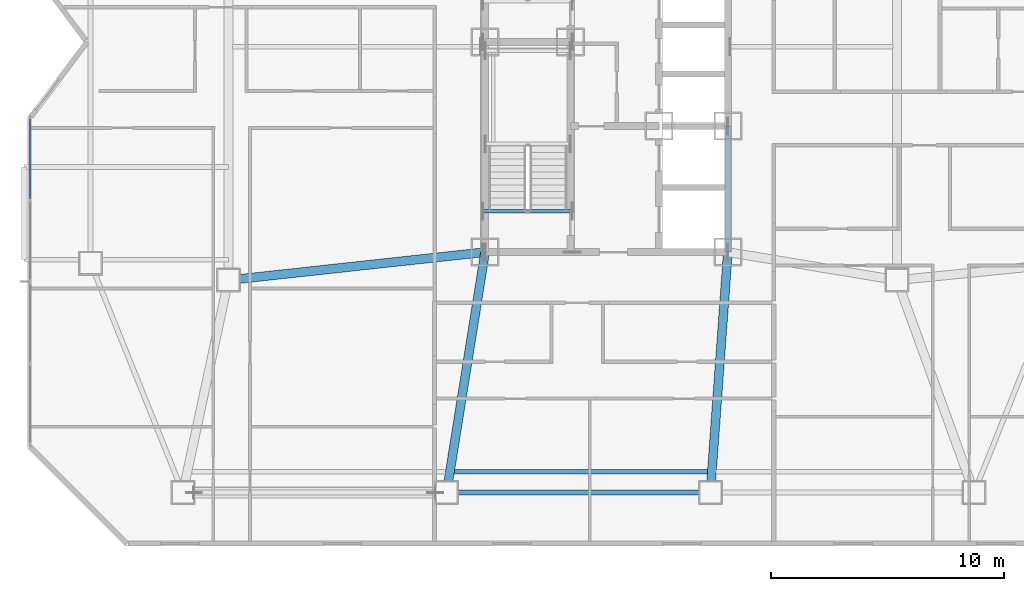
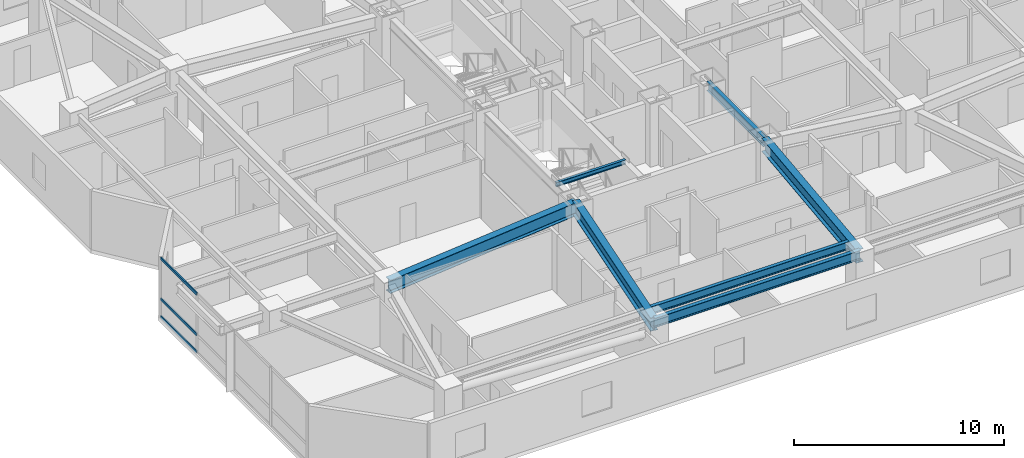
# One storey, part 5 of 17: 7 beams, 3 members, 1 element without a shape of its own.
"""IFC4 building model written with IfcOpenShell, lengths in metres."""

from ifc_helpers import new_model, si_unit, direction, frame, origin, origin_2d, place, context, subcontext, project, spatial, hollow_rectangle, i_section, extrude, material, material_profile, profile_set, type_object, element, aggregate, save


model = new_model("IFC4")

# Units and contexts
model_context = context("Model", 3, precision=1e-05, world=origin(), true_north=direction((0.0, 1.0)))
body_context = subcontext(model_context, "Body", "Model", "MODEL_VIEW")
ifc_project = project(units=[si_unit("LENGTHUNIT", "METRE"), si_unit("AREAUNIT", "SQUARE_METRE"), si_unit("VOLUMEUNIT", "CUBIC_METRE"), si_unit("PLANEANGLEUNIT", "RADIAN"), si_unit("MASSUNIT", "GRAM", prefix="KILO")], contexts=[model_context])

# Site, building, storey
site_placement = place(None, origin())
site = spatial("IfcSite", under=ifc_project, at=site_placement, CompositionType="ELEMENT")
building_placement = place(site_placement, origin())
building = spatial("IfcBuilding", under=site, at=building_placement, Name="Khamvora Tower", CompositionType="ELEMENT")
storey_placement = place(building_placement, frame((0.0, 0.0, 131.10009765625)))
storey = spatial("IfcBuildingStorey", under=building, at=storey_placement, Name="L33", CompositionType="ELEMENT", Elevation=131.10009765625)

# Beams
ifc_material_1 = material(Name="Steel S355", Category="steel")
ifc_material_profile_1 = material_profile(ifc_material_1, i_section(OverallWidth=0.19189453125, OverallDepth=0.462890625, WebThickness=0.010986328125, FlangeThickness=0.01806640625, FilletRadius=0.011962890625, at=origin_2d()), Name="W460x89")
ifc_profile_set_1 = profile_set([ifc_material_profile_1], Name="Steel S355")
beam_type_1 = type_object("IfcBeamType", Name="BM-JS-W460x89", PredefinedType="JOIST", material=ifc_profile_set_1)
beam_1_placement = place(storey_placement, frame((27.681884765625, 9.60009765625, 3.197998046875), z_axis=(1.0, 0.0, 0.0), x_axis=(0.0, 1.0, 0.0)))
element("IfcBeam", 1, at=beam_1_placement, inside=storey, type_object=beam_type_1, Name="L33 secondary floor joist 02", PredefinedType="JOIST", context=body_context, shape_type="SweptSolid", body=[
    extrude(i_section(OverallWidth=0.19189453125, OverallDepth=0.462890625, WebThickness=0.010986328125, FlangeThickness=0.01806640625, FilletRadius=0.011962890625, at=origin_2d()), origin(), (0.0, 0.0, 1.0), 10.84814453125),
])
ifc_material_profile_2 = material_profile(ifc_material_1, i_section(OverallWidth=0.14697265625, OverallDepth=0.261962890625, WebThickness=0.007080078125, FlangeThickness=0.010986328125, FilletRadius=0.008056640625, at=origin_2d()), Name="W250x39")
ifc_profile_set_2 = profile_set([ifc_material_profile_2], Name="Steel S355")
beam_type_2 = type_object("IfcBeamType", Name="BM-LN-W250x39", PredefinedType="LINTEL", material=ifc_profile_set_2)
beam_2_placement = place(storey_placement, frame((28.89990234375, 20.75, 3.303955078125), z_axis=(1.0, 0.0, 0.0), x_axis=(0.0, 1.0, 0.0)))
element("IfcBeam", 2, at=beam_2_placement, inside=storey, type_object=beam_type_2, Name="L33 exit stair ST-01 landing trimmer beam", PredefinedType="LINTEL", context=body_context, shape_type="SweptSolid", body=[
    extrude(i_section(OverallWidth=0.14697265625, OverallDepth=0.261962890625, WebThickness=0.007080078125, FlangeThickness=0.010986328125, FilletRadius=0.008056640625, at=origin_2d()), origin(), (0.0, 0.0, 1.0), 3.830078125),
])
ifc_material_profile_3 = material_profile(ifc_material_1, i_section(OverallWidth=0.381103515625, OverallDepth=0.77294921875, WebThickness=0.01708984375, FlangeThickness=0.027099609375, FilletRadius=0.01806640625, at=origin_2d()), Name="W760x257")
ifc_profile_set_3 = profile_set([ifc_material_profile_3], Name="Steel S355")
beam_type_3 = type_object("IfcBeamType", Name="BM-PG-W760x257", PredefinedType="BEAM", material=ifc_profile_set_3)
beam_3_placement = place(storey_placement, frame((29.0, 19.0, 3.04296875), z_axis=(-0.158167584066, -0.987412282358, 0.0), x_axis=(0.987412282358, -0.158167584066, 0.0)))
element("IfcBeam", 3, at=beam_3_placement, inside=storey, type_object=beam_type_3, Name="L33 primary floor girder S2", PredefinedType="BEAM", context=body_context, shape_type="SweptSolid", body=[
    extrude(i_section(OverallWidth=0.381103515625, OverallDepth=0.77294921875, WebThickness=0.01708984375, FlangeThickness=0.027099609375, FilletRadius=0.01806640625, at=origin_2d()), origin(), (0.0, 0.0, 1.0), 10.431396484375),
])
beam_4_placement = place(storey_placement, frame((39.39990234375, 19.0, 3.04296875), z_axis=(-0.07262291808, -0.997359469685, 0.0), x_axis=(0.997359469685, -0.07262291808, 0.0)))
element("IfcBeam", 4, at=beam_4_placement, inside=storey, type_object=beam_type_3, Name="L33 primary floor girder S3", PredefinedType="BEAM", context=body_context, shape_type="SweptSolid", body=[
    extrude(i_section(OverallWidth=0.381103515625, OverallDepth=0.77294921875, WebThickness=0.01708984375, FlangeThickness=0.027099609375, FilletRadius=0.01806640625, at=origin_2d()), origin(), (0.0, 0.0, 1.0), 10.327392578125),
])
beam_5_placement = place(storey_placement, frame((29.0, 19.0, 3.04296875), z_axis=(-0.994102652327, -0.108443149329, 0.0), x_axis=(0.108443149329, -0.994102652327, 0.0)))
element("IfcBeam", 5, at=beam_5_placement, inside=storey, type_object=beam_type_3, Name="L33 primary floor girder MW1", PredefinedType="BEAM", context=body_context, shape_type="SweptSolid", body=[
    extrude(i_section(OverallWidth=0.381103515625, OverallDepth=0.77294921875, WebThickness=0.01708984375, FlangeThickness=0.027099609375, FilletRadius=0.01806640625, at=origin_2d()), origin(), (0.0, 0.0, 1.0), 11.065185546875),
])
ifc_material_profile_4 = material_profile(ifc_material_1, i_section(OverallWidth=0.2119140625, OverallDepth=0.5439453125, WebThickness=0.012939453125, FlangeThickness=0.02099609375, FilletRadius=0.013916015625, at=origin_2d()), Name="W530x123")
ifc_profile_set_4 = profile_set([ifc_material_profile_4], Name="Steel S355")
beam_type_4 = type_object("IfcBeamType", Name="BM-SP-W530x123", PredefinedType="SPANDREL", material=ifc_profile_set_4)
beam_6_placement = place(storey_placement, frame((27.35009765625, 8.699951171875, 3.157958984375), z_axis=(1.0, 0.0, 0.0), x_axis=(0.0, 1.0, 0.0)))
element("IfcBeam", 6, at=beam_6_placement, inside=storey, type_object=beam_type_4, Name="L33 perimeter spandrel beam S2-S3", PredefinedType="SPANDREL", context=body_context, shape_type="SweptSolid", body=[
    extrude(i_section(OverallWidth=0.2119140625, OverallDepth=0.5439453125, WebThickness=0.012939453125, FlangeThickness=0.02099609375, FilletRadius=0.013916015625, at=origin_2d()), origin(), (0.0, 0.0, 1.0), 11.2998046875),
])
ifc_material_profile_5 = material_profile(ifc_material_1, i_section(OverallWidth=0.208984375, OverallDepth=0.532958984375, WebThickness=0.010009765625, FlangeThickness=0.01611328125, FilletRadius=0.013916015625, at=origin_2d()), Name="W530x92")
ifc_profile_set_5 = profile_set([ifc_material_profile_5], Name="Steel S355")
beam_type_5 = type_object("IfcBeamType", Name="BM-SP-W530x92", PredefinedType="SPANDREL", material=ifc_profile_set_5)
beam_7_placement = place(storey_placement, frame((39.39990234375, 19.0, 3.162841796875), z_axis=(0.0, 1.0, 0.0), x_axis=(-1.0, 0.0, 0.0)))
element("IfcBeam", 7, at=beam_7_placement, inside=storey, type_object=beam_type_5, Name="L33 core spine girder ES", PredefinedType="SPANDREL", context=body_context, shape_type="SweptSolid", body=[
    extrude(i_section(OverallWidth=0.208984375, OverallDepth=0.532958984375, WebThickness=0.010009765625, FlangeThickness=0.01611328125, FilletRadius=0.013916015625, at=origin_2d()), origin(), (0.0, 0.0, 1.0), 5.39990234375),
])

# Curtain wall, members
ifc_material_2 = material(Name="Anodised Aluminium 6063-T6", Category="aluminium")
curtain_wall_type = type_object("IfcCurtainWallType", Name="CW-SYS-03", PredefinedType="NOTDEFINED", material=ifc_material_2)
curtain_wall_placement = place(storey_placement, origin())
curtain_wall = element("IfcCurtainWall", 8, at=curtain_wall_placement, inside=storey, type_object=curtain_wall_type, Name="L33 stick curtain wall 02.1", PredefinedType="NOTDEFINED")
ifc_material_profile_6 = material_profile(ifc_material_2, hollow_rectangle(XDim=0.06494140625, YDim=0.155029296875, WallThickness=0.0048828125, at=origin_2d()), Name="TRN65x155x5")
ifc_profile_set_6 = profile_set([ifc_material_profile_6], Name="Anodised Aluminium 6063-T6")
member_type = type_object("IfcMemberType", Name="CW-SYS-03-TRN", PredefinedType="USERDEFINED", material=ifc_profile_set_6)
member_1_placement = place(storey_placement, frame((9.510009765625, 21.283935546875, 0.032470703125), z_axis=(0.0, 1.0, 0.0), x_axis=(-1.0, 0.0, 0.0)))
member_1 = element("IfcMember", 9, at=member_1_placement, type_object=member_type, Name="CW-03 transom 4.1", ObjectType="TRANSOM", PredefinedType="USERDEFINED", context=body_context, shape_type="SweptSolid", body=[
    extrude(hollow_rectangle(XDim=0.06494140625, YDim=0.155029296875, WallThickness=0.0048828125, at=origin_2d()), origin(), (0.0, 0.0, 1.0), 3.4140625),
])
member_2_placement = place(storey_placement, frame((9.510009765625, 21.283935546875, 1.0498046875), z_axis=(0.0, 1.0, 0.0), x_axis=(-1.0, 0.0, 0.0)))
member_2 = element("IfcMember", 10, at=member_2_placement, type_object=member_type, Name="CW-03 transom 4.2", ObjectType="TRANSOM", PredefinedType="USERDEFINED", context=body_context, shape_type="SweptSolid", body=[
    extrude(hollow_rectangle(XDim=0.06494140625, YDim=0.155029296875, WallThickness=0.0048828125, at=origin_2d()), origin(), (0.0, 0.0, 1.0), 3.4140625),
])
member_3_placement = place(storey_placement, frame((9.510009765625, 21.283935546875, 3.3974609375), z_axis=(0.0, 1.0, 0.0), x_axis=(-1.0, 0.0, 0.0)))
member_3 = element("IfcMember", 11, at=member_3_placement, type_object=member_type, Name="CW-03 transom 4.3", ObjectType="TRANSOM", PredefinedType="USERDEFINED", context=body_context, shape_type="SweptSolid", body=[
    extrude(hollow_rectangle(XDim=0.06494140625, YDim=0.155029296875, WallThickness=0.0048828125, at=origin_2d()), origin(), (0.0, 0.0, 1.0), 3.4140625),
])
aggregate(curtain_wall, [member_1, member_2, member_3])

save(model, "model.ifc")
